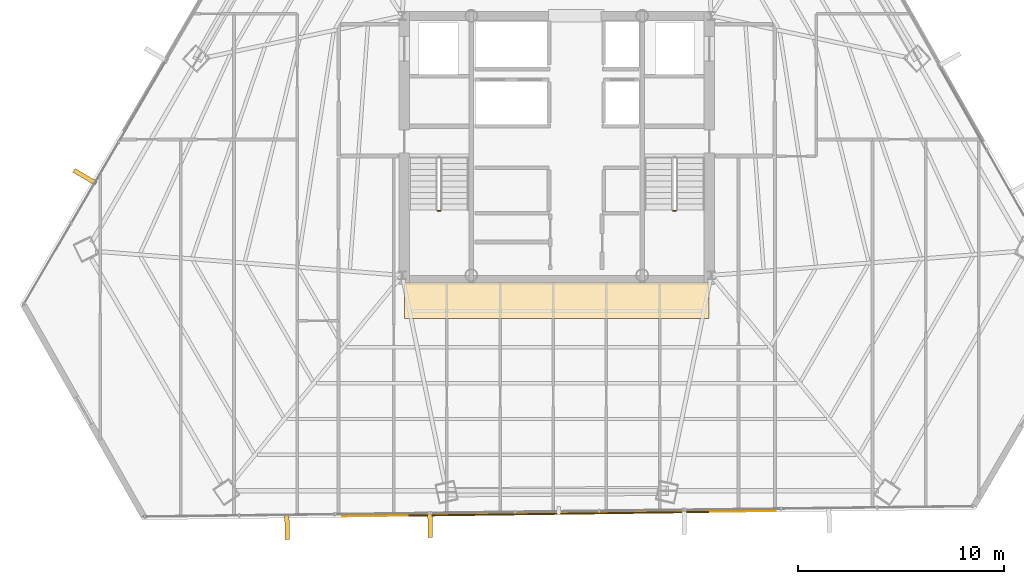
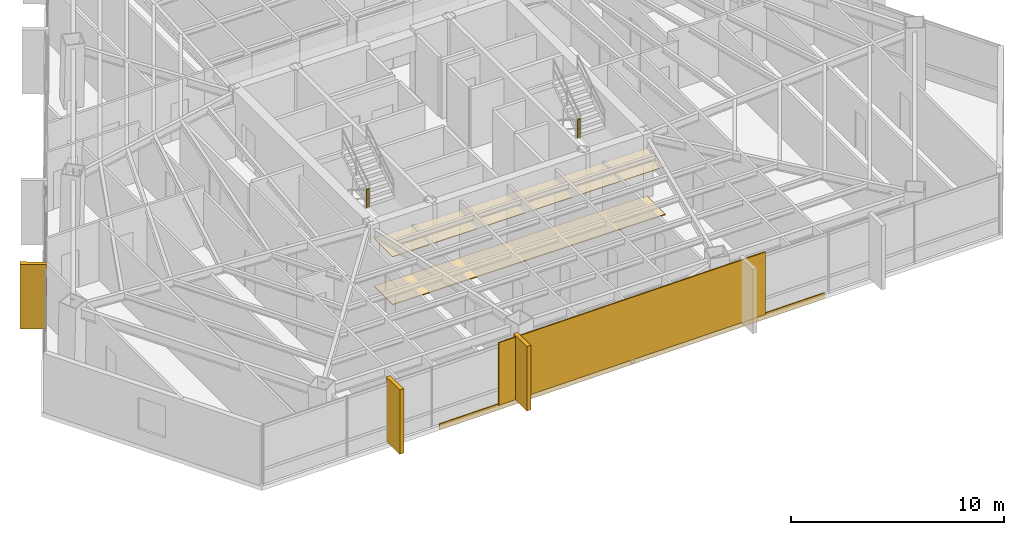
# One storey, part 40 of 42: 6 coverings, 2 railings, 1 shading device.
"""IFC4 building model written with IfcOpenShell, lengths in metres."""

from ifc_helpers import new_model, si_unit, direction, frame, origin, origin_2d, place, context, subcontext, project, spatial, polyline, rectangle, outline, extrude, source, transform, mapped, material, layer, layer_set, type_object, type_shapes, element, save


model = new_model("IFC4")

# Units and contexts
model_context = context("Model", 3, precision=1e-05, world=origin(), true_north=direction((0.0, 1.0)))
body_context = subcontext(model_context, "Body", "Model", "MODEL_VIEW")
ifc_project = project(units=[si_unit("LENGTHUNIT", "METRE"), si_unit("AREAUNIT", "SQUARE_METRE"), si_unit("VOLUMEUNIT", "CUBIC_METRE"), si_unit("PLANEANGLEUNIT", "RADIAN"), si_unit("MASSUNIT", "GRAM", prefix="KILO")], contexts=[model_context])

# Site, building, storey
site_placement = place(None, origin())
site = spatial("IfcSite", under=ifc_project, at=site_placement, CompositionType="ELEMENT")
building_placement = place(site_placement, origin())
building = spatial("IfcBuilding", under=site, at=building_placement, Name="Caelisora Broadcast Tower", CompositionType="ELEMENT")
storey_placement = place(building_placement, frame((0.0, 0.0, 131.800048828125)))
storey = spatial("IfcBuildingStorey", under=building, at=storey_placement, Name="L34", CompositionType="ELEMENT", Elevation=131.800048828125)

# Coverings
ifc_material_1 = material(Name="Perforated Mineral-Fibre Acoustic Ceiling Tile", Category="gypsum")
ifc_layer_1 = layer(ifc_material_1, 0.034912109375, Name="Perforated Mineral-Fibre Acoustic Ceiling Tile")
ifc_layer_set_1 = layer_set([ifc_layer_1], Name="Perforated Mineral-Fibre Acoustic Ceiling Tile")
covering_type_1 = type_object("IfcCoveringType", Name="CE-1", PredefinedType="CEILING", material=ifc_layer_set_1)
covering_1_placement = place(storey_placement, frame((0.0, 0.0, 2.75)))
element("IfcCovering", 1, at=covering_1_placement, inside=storey, type_object=covering_type_1, Name="L34 acoustic corridor ceiling CE-1 (S)", PredefinedType="CEILING", context=body_context, shape_type="SweptSolid", body=[
    extrude(outline(polyline([(30.60009765625, 15.300048828125), (45.39990234375, 15.300048828125), (45.39990234375, 17.050048828125), (30.60009765625, 17.050048828125), (30.60009765625, 15.300048828125)])), origin(), (0.0, 0.0, 1.0), 0.034912109375),
])
ifc_material_2 = material(Name="Anti-Static Broadcast Raised Access Floor Panel", Category="steel")
ifc_layer_2 = layer(ifc_material_2, 0.044921875, Name="Anti-Static Broadcast Raised Access Floor Panel")
ifc_layer_set_2 = layer_set([ifc_layer_2], Name="Anti-Static Broadcast Raised Access Floor Panel")
covering_type_2 = type_object("IfcCoveringType", Name="FL-1", PredefinedType="FLOORING", material=ifc_layer_set_2)
covering_2_placement = place(storey_placement, origin())
element("IfcCovering", 2, at=covering_2_placement, inside=storey, type_object=covering_type_2, Name="L34 broadcast raised access floor FL-1 (S)", PredefinedType="FLOORING", context=body_context, shape_type="SweptSolid", body=[
    extrude(outline(polyline([(30.60009765625, 15.300048828125), (45.39990234375, 15.300048828125), (45.39990234375, 17.050048828125), (30.60009765625, 17.050048828125), (30.60009765625, 15.300048828125)])), origin(), (0.0, 0.0, 1.0), 0.044921875),
])

# Railings
ifc_material_3 = material(Name="Galvanised Steel Safety Guardrail", Category="steel")
ifc_layer_3 = layer(ifc_material_3, 0.048095703125, Name="Galvanised Steel Safety Guardrail")
ifc_layer_set_3 = layer_set([ifc_layer_3], Name="Galvanised Steel Safety Guardrail")
railing_type = type_object("IfcRailingType", Name="GR-1", PredefinedType="GUARDRAIL", material=ifc_layer_set_3)
for number, where, name in (
    (3, (32.219970703125, 20.530029296875, 1.824951171875), "L34 ST-1 stair guard 2"),
    (4, (43.659912109375, 20.530029296875, 1.824951171875), "L34 ST-2 stair guard 2"),
):
    element("IfcRailing", number, at=place(storey_placement, frame(where)), inside=storey, type_object=railing_type, Name=name, PredefinedType="GUARDRAIL", context=body_context, shape_type="SweptSolid", body=[
        extrude(rectangle(XDim=0.048095703125, YDim=0.048095703125, at=origin_2d()), frame((0.0, 0.0, 1.076171875), z_axis=(1.0, 0.0, 0.0), x_axis=(0.0, 1.0, 0.0)), (0.0, 0.0, 1.0), 0.1201171875),
        extrude(rectangle(XDim=0.03125, YDim=0.03125, at=origin_2d()), frame((0.0, 0.0, 0.550048828125), z_axis=(1.0, 0.0, 0.0), x_axis=(0.0, 1.0, 0.0)), (0.0, 0.0, 1.0), 0.1201171875),
        extrude(rectangle(XDim=0.0419921875, YDim=0.0419921875, at=origin_2d()), origin(), (0.0, 0.0, 1.0), 1.052001953125),
        extrude(rectangle(XDim=0.0419921875, YDim=0.0419921875, at=origin_2d()), frame((0.1201171875, 0.0, 0.0)), (0.0, 0.0, 1.0), 1.052001953125),
    ])

# Coverings
ifc_material_4 = material(Name="Kiln-Fired Terracotta Spandrel Rainscreen Cladding", Category="ceramic")
ifc_layer_4 = layer(ifc_material_4, 0.044921875, Name="Kiln-Fired Terracotta Spandrel Rainscreen Cladding")
ifc_layer_set_4 = layer_set([ifc_layer_4], Name="Kiln-Fired Terracotta Spandrel Rainscreen Cladding")
covering_type_3 = type_object("IfcCoveringType", Name="CL-1", PredefinedType="CLADDING", material=ifc_layer_set_4)
shared_shape_1 = source(origin(), body_context, "Body", "SweptSolid", [
    extrude(rectangle(XDim=0.219970703125, YDim=1.25, at=origin_2d()), origin(), (0.0, 0.0, 1.0), 3.68994140625),
])
for number, where, z_axis, x_axis, name in (
    (5, (31.849609375, 5.29345703125, -0.02001953125), (0.0, 0.0, 1.0), (-0.999921044204, -0.012566039883, 0.0), "L34 vertical solar fin cladding #2-3"),
    (6, (24.904296875, 5.206298828125, -0.02001953125), (0.0, 0.0, 1.0), (-0.999921044204, -0.012566039883, 0.0), "L34 vertical solar fin cladding #2-4"),
    (7, (15.089111328125, 22.184326171875, -0.02001953125), (0.0, 0.0, 1.0), (0.504527623815, 0.863395550607, 0.0), "L34 vertical solar fin cladding #3-1"),
):
    element("IfcCovering", number, at=place(storey_placement, frame(where, z_axis=z_axis, x_axis=x_axis)), inside=storey, type_object=covering_type_3, Name=name, PredefinedType="CLADDING", context=body_context, shape_type="MappedRepresentation", body=[
        mapped(shared_shape_1, transform((0.0, 0.0, 0.0), scale=1.0)),
    ])

# Shading device
ifc_material_5 = material(Name="Perforated Glazed Terracotta Baguette Solar Screen", Category="ceramic")
ifc_layer_5 = layer(ifc_material_5, 0.06494140625, Name="Perforated Glazed Terracotta Baguette Solar Screen")
ifc_layer_set_5 = layer_set([ifc_layer_5], Name="Perforated Glazed Terracotta Baguette Solar Screen")
shading_device_type = type_object("IfcShadingDeviceType", Name="SS-1", PredefinedType="USERDEFINED", material=ifc_layer_set_5)
shared_shape_2 = source(origin(), body_context, "Body", "SweptSolid", [
    extrude(rectangle(XDim=14.572021484375, YDim=0.06494140625, at=origin_2d()), origin(), (0.0, 0.0, 1.0), 3.590087890625),
])
type_shapes(shading_device_type, [shared_shape_2])
shading_device_placement = place(storey_placement, frame((38.10205078125, 5.822021484375, 0.0), z_axis=(0.0, 0.0, 1.0), x_axis=(0.999921044204, 0.012566039883, 0.0)))
element("IfcShadingDevice", 8, at=shading_device_placement, inside=storey, type_object=shading_device_type, Name="L34 perforated terracotta solar screen #2", ObjectType="SOLAR SCREEN", PredefinedType="USERDEFINED", context=body_context, shape_type="MappedRepresentation", body=[
    mapped(shared_shape_2, transform((0.0, 0.0, 0.0), scale=1.0)),
])

# Covering
shared_shape_3 = source(origin(), body_context, "Body", "SweptSolid", [
    extrude(rectangle(XDim=21.049072265625, YDim=0.044921875, at=origin_2d()), origin(), (0.0, 0.0, 1.0), 0.340087890625),
])
type_shapes(covering_type_3, [shared_shape_1, shared_shape_3])
covering_3_placement = place(storey_placement, frame((38.101806640625, 5.842041015625, -0.27001953125), z_axis=(0.0, 0.0, 1.0), x_axis=(0.999921044204, 0.012566039883, 0.0)))
element("IfcCovering", 9, at=covering_3_placement, inside=storey, type_object=covering_type_3, Name="L34 terracotta spandrel rainscreen #2", PredefinedType="CLADDING", context=body_context, shape_type="MappedRepresentation", body=[
    mapped(shared_shape_3, transform((0.0, 0.0, 0.0), scale=1.0)),
])

save(model, "model.ifc")
